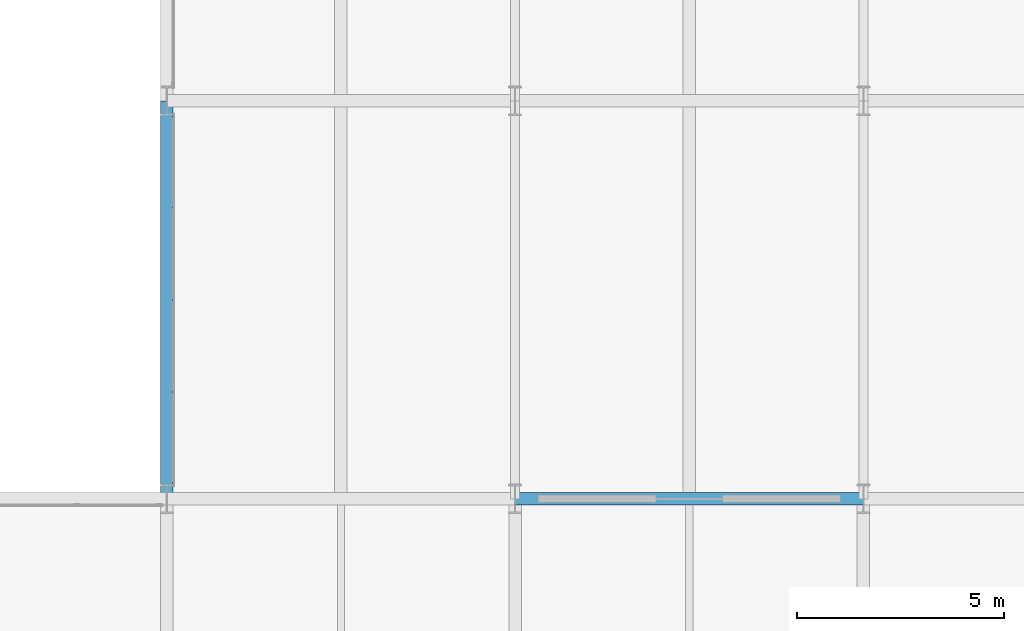
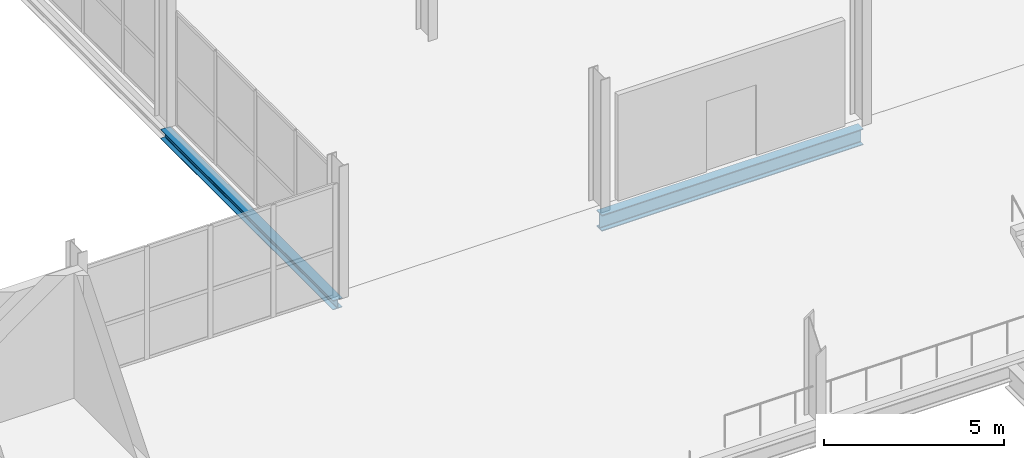
# One storey, part 51 of 113: 2 beams.
"""IFC4 building model written with IfcOpenShell, lengths in metres."""

from ifc_helpers import new_model, si_unit, direction, frame, origin, origin_2d, place, context, subcontext, project, spatial, i_section, extrude, material, material_profile, profile_set, type_object, element, save


model = new_model("IFC4")

# Units and contexts
model_context = context("Model", 3, precision=1e-05, world=origin(), true_north=direction((0.0, 1.0)))
body_context = subcontext(model_context, "Body", "Model", "MODEL_VIEW")
ifc_project = project(units=[si_unit("LENGTHUNIT", "METRE"), si_unit("AREAUNIT", "SQUARE_METRE"), si_unit("VOLUMEUNIT", "CUBIC_METRE"), si_unit("PLANEANGLEUNIT", "RADIAN"), si_unit("MASSUNIT", "GRAM", prefix="KILO")], contexts=[model_context])

# Site, building, storey
site_placement = place(None, origin())
site = spatial("IfcSite", under=ifc_project, at=site_placement, CompositionType="ELEMENT")
building_placement = place(site_placement, origin())
building = spatial("IfcBuilding", under=site, at=building_placement, Name="Veltarok Museum of Natural Sciences", CompositionType="ELEMENT")
storey_placement = place(building_placement, frame((0.0, 0.0, 8.39990234375)))
storey = spatial("IfcBuildingStorey", under=building, at=storey_placement, Name="L01", CompositionType="ELEMENT", Elevation=8.39990234375)

# Beams
ifc_material = material(Name="Steel S355J2", Category="steel")
ifc_material_profile_1 = material_profile(ifc_material, i_section(OverallWidth=0.300048828125, OverallDepth=0.550048828125, WebThickness=0.014892578125, FlangeThickness=0.029052734375, FilletRadius=0.027099609375, at=origin_2d()), Name="HEB 550")
ifc_profile_set_1 = profile_set([ifc_material_profile_1], Name="Steel S355J2")
beam_type_1 = type_object("IfcBeamType", Name="Gallery Girder HEB 550", PredefinedType="BEAM", material=ifc_profile_set_1)
beam_1_placement = place(storey_placement, frame((65.199951171875, 72.0, -0.52490234375), z_axis=(1.0, 0.0, 0.0), x_axis=(0.0, 1.0, 0.0)))
element("IfcBeam", 1, at=beam_1_placement, inside=storey, type_object=beam_type_1, Name="Beam BM-G10 L01 8-9/H", PredefinedType="BEAM", context=body_context, shape_type="SweptSolid", body=[
    extrude(i_section(OverallWidth=0.300048828125, OverallDepth=0.550048828125, WebThickness=0.014892578125, FlangeThickness=0.029052734375, FilletRadius=0.027099609375, at=origin_2d()), origin(), (0.0, 0.0, 1.0), 8.400146484375),
])
ifc_material_profile_2 = material_profile(ifc_material, i_section(OverallWidth=0.300048828125, OverallDepth=0.320068359375, WebThickness=0.011474609375, FlangeThickness=0.0205078125, FilletRadius=0.027099609375, at=origin_2d()), Name="HEB 320")
ifc_profile_set_2 = profile_set([ifc_material_profile_2], Name="Steel S355J2")
beam_type_2 = type_object("IfcBeamType", Name="Perimeter Sawtooth Spandrel HEB 320", PredefinedType="SPANDREL", material=ifc_profile_set_2)
beam_2_placement = place(storey_placement, frame((56.800048828125, 72.0, -0.409912109375), z_axis=(0.0, 1.0, 0.0), x_axis=(-1.0, 0.0, 0.0)))
element("IfcBeam", 2, at=beam_2_placement, inside=storey, type_object=beam_type_2, Name="Beam BM-SP06 L01 7/H-J", PredefinedType="SPANDREL", context=body_context, shape_type="SweptSolid", body=[
    extrude(i_section(OverallWidth=0.300048828125, OverallDepth=0.320068359375, WebThickness=0.011474609375, FlangeThickness=0.0205078125, FilletRadius=0.027099609375, at=origin_2d()), origin(), (0.0, 0.0, 1.0), 9.60009765625),
])

save(model, "model.ifc")
